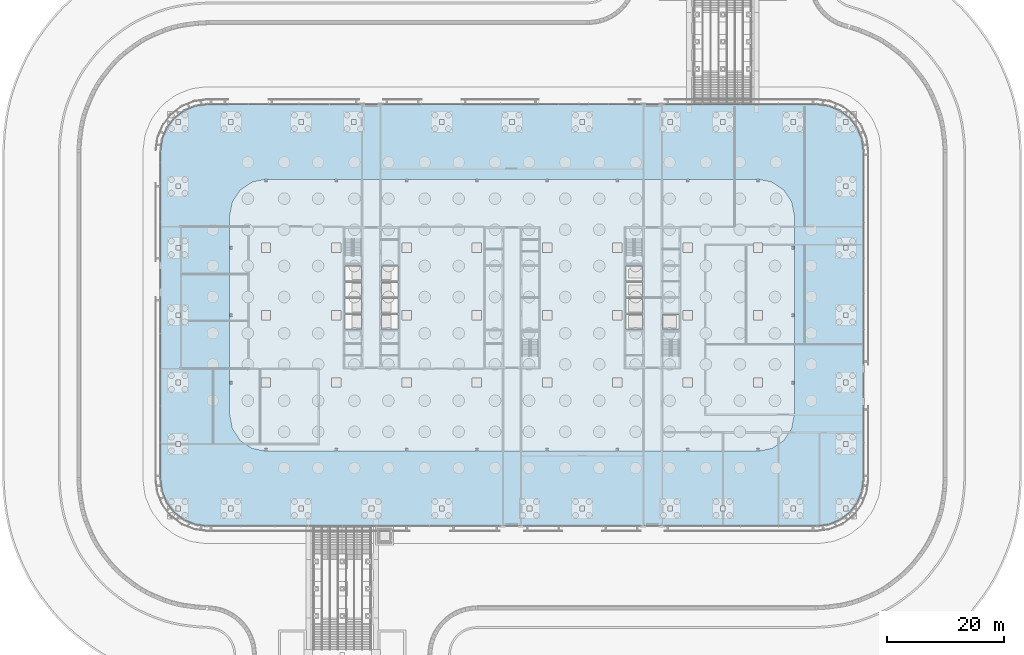
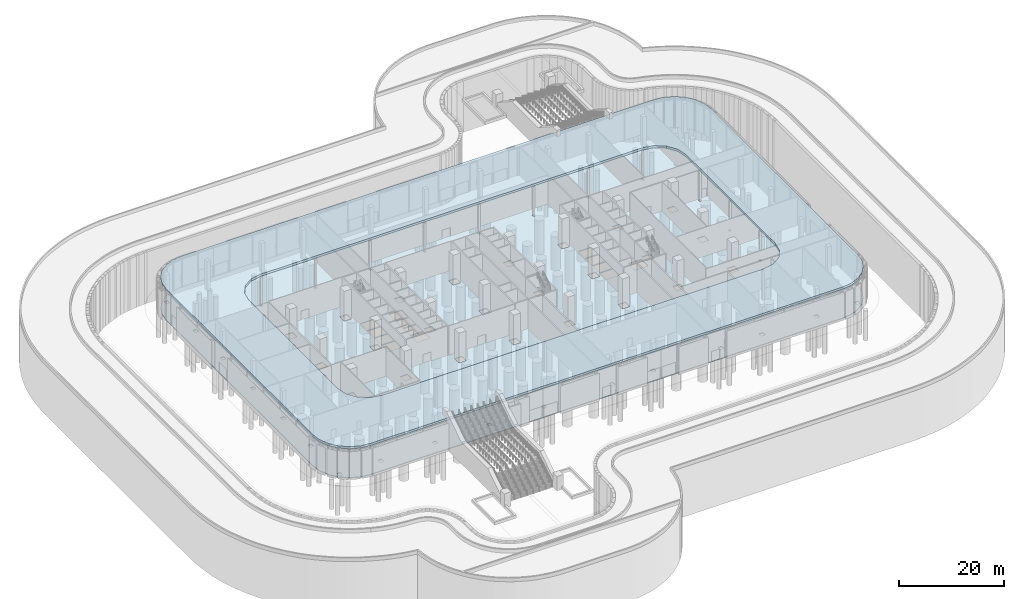
# One storey, part 16 of 48: 2 slabs.
"""IFC4 building model written with IfcOpenShell, lengths in metres."""

from ifc_helpers import new_model, si_unit, direction, frame, origin, place, context, subcontext, project, spatial, polyline, outline, extrude, material, layer, layer_set, type_object, element, save


model = new_model("IFC4")

# Units and contexts
model_context = context("Model", 3, precision=1e-05, world=origin(), true_north=direction((0.0, 1.0)))
body_context = subcontext(model_context, "Body", "Model", "MODEL_VIEW")
ifc_project = project(units=[si_unit("LENGTHUNIT", "METRE"), si_unit("AREAUNIT", "SQUARE_METRE"), si_unit("VOLUMEUNIT", "CUBIC_METRE"), si_unit("PLANEANGLEUNIT", "RADIAN"), si_unit("MASSUNIT", "GRAM", prefix="KILO")], contexts=[model_context])

# Site, building, storey
site_placement = place(None, origin())
site = spatial("IfcSite", under=ifc_project, at=site_placement, CompositionType="ELEMENT")
building_placement = place(site_placement, origin())
building = spatial("IfcBuilding", under=site, at=building_placement, Name="Mahtab Terrace Research Tower", CompositionType="ELEMENT")
storey_placement = place(building_placement, origin())
storey = spatial("IfcBuildingStorey", under=building, at=storey_placement, Name="G", CompositionType="ELEMENT", Elevation=0.0)

# Slabs
ifc_material = material(Name="Concrete C40/50", Category="concrete")
ifc_layer_1 = layer(ifc_material, 0.199951171875)
ifc_layer_set_1 = layer_set([ifc_layer_1], Name="Ground slab 200")
slab_type_1 = type_object("IfcSlabType", Name="Ground slab 200", PredefinedType="BASESLAB", material=ifc_layer_set_1)
slab_1_placement = place(storey_placement, frame((0.0, 0.0, -0.199951171875)))
element("IfcSlab", 1, at=slab_1_placement, inside=storey, type_object=slab_type_1, Name="Ground slab", PredefinedType="BASESLAB", context=body_context, shape_type="SweptSolid", body=[
    extrude(outline(polyline([(59.72705078125, 30.071044921875), (58.927978515625, 32.0), (57.656982421875, 33.656982421875), (56.0, 34.927978515625), (54.071044921875, 35.72705078125), (52.0, 36.0), (-52.0, 36.0), (-54.071044921875, 35.72705078125), (-56.0, 34.927978515625), (-57.656982421875, 33.656982421875), (-58.927978515625, 32.0), (-59.72705078125, 30.071044921875), (-60.0, 28.0), (-60.0, -28.0), (-59.72705078125, -30.071044921875), (-58.927978515625, -32.0), (-57.656982421875, -33.656982421875), (-56.0, -34.927978515625), (-54.071044921875, -35.72705078125), (-52.0, -36.0), (52.0, -36.0), (54.071044921875, -35.72705078125), (56.0, -34.927978515625), (57.656982421875, -33.656982421875), (58.927978515625, -32.0), (59.72705078125, -30.071044921875), (60.0, -28.0), (60.0, 28.0), (59.72705078125, 30.071044921875)]), holes=[polyline([(-42.800048828125, -12.300048828125), (-41.199951171875, -12.300048828125), (-41.199951171875, -10.699951171875), (-42.800048828125, -10.699951171875), (-42.800048828125, -12.300048828125)]), polyline([(-42.800048828125, -0.800048828125), (-41.199951171875, -0.800048828125), (-41.199951171875, 0.800048828125), (-42.800048828125, 0.800048828125), (-42.800048828125, -0.800048828125)]), polyline([(-42.800048828125, 10.699951171875), (-41.199951171875, 10.699951171875), (-41.199951171875, 12.300048828125), (-42.800048828125, 12.300048828125), (-42.800048828125, 10.699951171875)]), polyline([(-30.800048828125, -12.300048828125), (-29.199951171875, -12.300048828125), (-29.199951171875, -10.699951171875), (-30.800048828125, -10.699951171875), (-30.800048828125, -12.300048828125)]), polyline([(-30.800048828125, -0.800048828125), (-29.199951171875, -0.800048828125), (-29.199951171875, 0.800048828125), (-30.800048828125, 0.800048828125), (-30.800048828125, -0.800048828125)]), polyline([(-30.800048828125, 10.699951171875), (-29.199951171875, 10.699951171875), (-29.199951171875, 12.300048828125), (-30.800048828125, 12.300048828125), (-30.800048828125, 10.699951171875)]), polyline([(-18.800048828125, -12.300048828125), (-17.199951171875, -12.300048828125), (-17.199951171875, -10.699951171875), (-18.800048828125, -10.699951171875), (-18.800048828125, -12.300048828125)]), polyline([(-18.800048828125, -0.800048828125), (-17.199951171875, -0.800048828125), (-17.199951171875, 0.800048828125), (-18.800048828125, 0.800048828125), (-18.800048828125, -0.800048828125)]), polyline([(-18.800048828125, 10.699951171875), (-17.199951171875, 10.699951171875), (-17.199951171875, 12.300048828125), (-18.800048828125, 12.300048828125), (-18.800048828125, 10.699951171875)]), polyline([(-6.800048828125, -12.300048828125), (-5.199951171875, -12.300048828125), (-5.199951171875, -10.699951171875), (-6.800048828125, -10.699951171875), (-6.800048828125, -12.300048828125)]), polyline([(-6.800048828125, -0.800048828125), (-5.199951171875, -0.800048828125), (-5.199951171875, 0.800048828125), (-6.800048828125, 0.800048828125), (-6.800048828125, -0.800048828125)]), polyline([(-6.800048828125, 10.699951171875), (-5.199951171875, 10.699951171875), (-5.199951171875, 12.300048828125), (-6.800048828125, 12.300048828125), (-6.800048828125, 10.699951171875)]), polyline([(5.199951171875, -12.300048828125), (6.800048828125, -12.300048828125), (6.800048828125, -10.699951171875), (5.199951171875, -10.699951171875), (5.199951171875, -12.300048828125)]), polyline([(5.199951171875, -0.800048828125), (6.800048828125, -0.800048828125), (6.800048828125, 0.800048828125), (5.199951171875, 0.800048828125), (5.199951171875, -0.800048828125)]), polyline([(5.199951171875, 10.699951171875), (6.800048828125, 10.699951171875), (6.800048828125, 12.300048828125), (5.199951171875, 12.300048828125), (5.199951171875, 10.699951171875)]), polyline([(17.199951171875, -12.300048828125), (18.800048828125, -12.300048828125), (18.800048828125, -10.699951171875), (17.199951171875, -10.699951171875), (17.199951171875, -12.300048828125)]), polyline([(17.199951171875, -0.800048828125), (18.800048828125, -0.800048828125), (18.800048828125, 0.800048828125), (17.199951171875, 0.800048828125), (17.199951171875, -0.800048828125)]), polyline([(17.199951171875, 10.699951171875), (18.800048828125, 10.699951171875), (18.800048828125, 12.300048828125), (17.199951171875, 12.300048828125), (17.199951171875, 10.699951171875)]), polyline([(29.199951171875, -12.300048828125), (30.800048828125, -12.300048828125), (30.800048828125, -10.699951171875), (29.199951171875, -10.699951171875), (29.199951171875, -12.300048828125)]), polyline([(29.199951171875, -0.800048828125), (30.800048828125, -0.800048828125), (30.800048828125, 0.800048828125), (29.199951171875, 0.800048828125), (29.199951171875, -0.800048828125)]), polyline([(29.199951171875, 10.699951171875), (30.800048828125, 10.699951171875), (30.800048828125, 12.300048828125), (29.199951171875, 12.300048828125), (29.199951171875, 10.699951171875)]), polyline([(41.199951171875, -12.300048828125), (42.800048828125, -12.300048828125), (42.800048828125, -10.699951171875), (41.199951171875, -10.699951171875), (41.199951171875, -12.300048828125)]), polyline([(41.199951171875, -0.800048828125), (42.800048828125, -0.800048828125), (42.800048828125, 0.800048828125), (41.199951171875, 0.800048828125), (41.199951171875, -0.800048828125)]), polyline([(41.199951171875, 10.699951171875), (42.800048828125, 10.699951171875), (42.800048828125, 12.300048828125), (41.199951171875, 12.300048828125), (41.199951171875, 10.699951171875)]), polyline([(41.7841796875, 22.7841796875), (42.2158203125, 22.7841796875), (42.2158203125, 23.2158203125), (41.7841796875, 23.2158203125), (41.7841796875, 22.7841796875)]), polyline([(29.7841796875, 22.7841796875), (30.2158203125, 22.7841796875), (30.2158203125, 23.2158203125), (29.7841796875, 23.2158203125), (29.7841796875, 22.7841796875)]), polyline([(17.7841796875, 22.7841796875), (18.2158203125, 22.7841796875), (18.2158203125, 23.2158203125), (17.7841796875, 23.2158203125), (17.7841796875, 22.7841796875)]), polyline([(5.7841796875, 22.7841796875), (6.2158203125, 22.7841796875), (6.2158203125, 23.2158203125), (5.7841796875, 23.2158203125), (5.7841796875, 22.7841796875)]), polyline([(-6.2158203125, 22.7841796875), (-5.7841796875, 22.7841796875), (-5.7841796875, 23.2158203125), (-6.2158203125, 23.2158203125), (-6.2158203125, 22.7841796875)]), polyline([(-18.2158203125, 22.7841796875), (-17.7841796875, 22.7841796875), (-17.7841796875, 23.2158203125), (-18.2158203125, 23.2158203125), (-18.2158203125, 22.7841796875)]), polyline([(-30.2158203125, 22.7841796875), (-29.7841796875, 22.7841796875), (-29.7841796875, 23.2158203125), (-30.2158203125, 23.2158203125), (-30.2158203125, 22.7841796875)]), polyline([(-42.2158203125, 22.7841796875), (-41.7841796875, 22.7841796875), (-41.7841796875, 23.2158203125), (-42.2158203125, 23.2158203125), (-42.2158203125, 22.7841796875)]), polyline([(-48.2158203125, 11.2841796875), (-47.7841796875, 11.2841796875), (-47.7841796875, 11.7158203125), (-48.2158203125, 11.7158203125), (-48.2158203125, 11.2841796875)]), polyline([(-48.2158203125, -0.2158203125), (-47.7841796875, -0.2158203125), (-47.7841796875, 0.2158203125), (-48.2158203125, 0.2158203125), (-48.2158203125, -0.2158203125)]), polyline([(-48.2158203125, -11.7158203125), (-47.7841796875, -11.7158203125), (-47.7841796875, -11.2841796875), (-48.2158203125, -11.2841796875), (-48.2158203125, -11.7158203125)]), polyline([(-42.2158203125, -23.2158203125), (-41.7841796875, -23.2158203125), (-41.7841796875, -22.7841796875), (-42.2158203125, -22.7841796875), (-42.2158203125, -23.2158203125)]), polyline([(-30.2158203125, -23.2158203125), (-29.7841796875, -23.2158203125), (-29.7841796875, -22.7841796875), (-30.2158203125, -22.7841796875), (-30.2158203125, -23.2158203125)]), polyline([(-18.2158203125, -23.2158203125), (-17.7841796875, -23.2158203125), (-17.7841796875, -22.7841796875), (-18.2158203125, -22.7841796875), (-18.2158203125, -23.2158203125)]), polyline([(-6.2158203125, -23.2158203125), (-5.7841796875, -23.2158203125), (-5.7841796875, -22.7841796875), (-6.2158203125, -22.7841796875), (-6.2158203125, -23.2158203125)]), polyline([(5.7841796875, -23.2158203125), (6.2158203125, -23.2158203125), (6.2158203125, -22.7841796875), (5.7841796875, -22.7841796875), (5.7841796875, -23.2158203125)]), polyline([(17.7841796875, -23.2158203125), (18.2158203125, -23.2158203125), (18.2158203125, -22.7841796875), (17.7841796875, -22.7841796875), (17.7841796875, -23.2158203125)]), polyline([(29.7841796875, -23.2158203125), (30.2158203125, -23.2158203125), (30.2158203125, -22.7841796875), (29.7841796875, -22.7841796875), (29.7841796875, -23.2158203125)]), polyline([(41.7841796875, -23.2158203125), (42.2158203125, -23.2158203125), (42.2158203125, -22.7841796875), (41.7841796875, -22.7841796875), (41.7841796875, -23.2158203125)]), polyline([(47.7841796875, -11.7158203125), (48.2158203125, -11.7158203125), (48.2158203125, -11.2841796875), (47.7841796875, -11.2841796875), (47.7841796875, -11.7158203125)]), polyline([(47.7841796875, -0.2158203125), (48.2158203125, -0.2158203125), (48.2158203125, 0.2158203125), (47.7841796875, 0.2158203125), (47.7841796875, -0.2158203125)]), polyline([(47.7841796875, 11.2841796875), (48.2158203125, 11.2841796875), (48.2158203125, 11.7158203125), (47.7841796875, 11.7158203125), (47.7841796875, 11.2841796875)]), polyline([(-57.39990234375, -33.39990234375), (-56.60009765625, -33.39990234375), (-56.60009765625, -32.60009765625), (-57.39990234375, -32.60009765625), (-57.39990234375, -33.39990234375)]), polyline([(-48.39990234375, -33.39990234375), (-47.60009765625, -33.39990234375), (-47.60009765625, -32.60009765625), (-48.39990234375, -32.60009765625), (-48.39990234375, -33.39990234375)]), polyline([(-36.39990234375, -33.39990234375), (-35.60009765625, -33.39990234375), (-35.60009765625, -32.60009765625), (-36.39990234375, -32.60009765625), (-36.39990234375, -33.39990234375)]), polyline([(-24.39990234375, -33.39990234375), (-23.60009765625, -33.39990234375), (-23.60009765625, -32.60009765625), (-24.39990234375, -32.60009765625), (-24.39990234375, -33.39990234375)]), polyline([(-12.39990234375, -33.39990234375), (-11.60009765625, -33.39990234375), (-11.60009765625, -32.60009765625), (-12.39990234375, -32.60009765625), (-12.39990234375, -33.39990234375)]), polyline([(2.60009765625, -33.39990234375), (3.39990234375, -33.39990234375), (3.39990234375, -32.60009765625), (2.60009765625, -32.60009765625), (2.60009765625, -33.39990234375)]), polyline([(11.60009765625, -33.39990234375), (12.39990234375, -33.39990234375), (12.39990234375, -32.60009765625), (11.60009765625, -32.60009765625), (11.60009765625, -33.39990234375)]), polyline([(26.60009765625, -33.39990234375), (27.39990234375, -33.39990234375), (27.39990234375, -32.60009765625), (26.60009765625, -32.60009765625), (26.60009765625, -33.39990234375)]), polyline([(35.60009765625, -33.39990234375), (36.39990234375, -33.39990234375), (36.39990234375, -32.60009765625), (35.60009765625, -32.60009765625), (35.60009765625, -33.39990234375)]), polyline([(47.60009765625, -33.39990234375), (48.39990234375, -33.39990234375), (48.39990234375, -32.60009765625), (47.60009765625, -32.60009765625), (47.60009765625, -33.39990234375)]), polyline([(56.60009765625, -33.39990234375), (57.39990234375, -33.39990234375), (57.39990234375, -32.60009765625), (56.60009765625, -32.60009765625), (56.60009765625, -33.39990234375)]), polyline([(-57.39990234375, 32.60009765625), (-56.60009765625, 32.60009765625), (-56.60009765625, 33.39990234375), (-57.39990234375, 33.39990234375), (-57.39990234375, 32.60009765625)]), polyline([(-48.39990234375, 32.60009765625), (-47.60009765625, 32.60009765625), (-47.60009765625, 33.39990234375), (-48.39990234375, 33.39990234375), (-48.39990234375, 32.60009765625)]), polyline([(-36.39990234375, 32.60009765625), (-35.60009765625, 32.60009765625), (-35.60009765625, 33.39990234375), (-36.39990234375, 33.39990234375), (-36.39990234375, 32.60009765625)]), polyline([(-27.39990234375, 32.60009765625), (-26.60009765625, 32.60009765625), (-26.60009765625, 33.39990234375), (-27.39990234375, 33.39990234375), (-27.39990234375, 32.60009765625)]), polyline([(-12.39990234375, 32.60009765625), (-11.60009765625, 32.60009765625), (-11.60009765625, 33.39990234375), (-12.39990234375, 33.39990234375), (-12.39990234375, 32.60009765625)]), polyline([(-0.39990234375, 32.60009765625), (0.39990234375, 32.60009765625), (0.39990234375, 33.39990234375), (-0.39990234375, 33.39990234375), (-0.39990234375, 32.60009765625)]), polyline([(11.60009765625, 32.60009765625), (12.39990234375, 32.60009765625), (12.39990234375, 33.39990234375), (11.60009765625, 33.39990234375), (11.60009765625, 32.60009765625)]), polyline([(26.60009765625, 32.60009765625), (27.39990234375, 32.60009765625), (27.39990234375, 33.39990234375), (26.60009765625, 33.39990234375), (26.60009765625, 32.60009765625)]), polyline([(35.60009765625, 32.60009765625), (36.39990234375, 32.60009765625), (36.39990234375, 33.39990234375), (35.60009765625, 33.39990234375), (35.60009765625, 32.60009765625)]), polyline([(47.60009765625, 32.60009765625), (48.39990234375, 32.60009765625), (48.39990234375, 33.39990234375), (47.60009765625, 33.39990234375), (47.60009765625, 32.60009765625)]), polyline([(56.60009765625, 32.60009765625), (57.39990234375, 32.60009765625), (57.39990234375, 33.39990234375), (56.60009765625, 33.39990234375), (56.60009765625, 32.60009765625)]), polyline([(-57.39990234375, -22.39990234375), (-56.60009765625, -22.39990234375), (-56.60009765625, -21.60009765625), (-57.39990234375, -21.60009765625), (-57.39990234375, -22.39990234375)]), polyline([(-57.39990234375, -11.89990234375), (-56.60009765625, -11.89990234375), (-56.60009765625, -11.10009765625), (-57.39990234375, -11.10009765625), (-57.39990234375, -11.89990234375)]), polyline([(-57.39990234375, -0.39990234375), (-56.60009765625, -0.39990234375), (-56.60009765625, 0.39990234375), (-57.39990234375, 0.39990234375), (-57.39990234375, -0.39990234375)]), polyline([(-57.39990234375, 11.10009765625), (-56.60009765625, 11.10009765625), (-56.60009765625, 11.89990234375), (-57.39990234375, 11.89990234375), (-57.39990234375, 11.10009765625)]), polyline([(-57.39990234375, 21.60009765625), (-56.60009765625, 21.60009765625), (-56.60009765625, 22.39990234375), (-57.39990234375, 22.39990234375), (-57.39990234375, 21.60009765625)]), polyline([(56.60009765625, -22.39990234375), (57.39990234375, -22.39990234375), (57.39990234375, -21.60009765625), (56.60009765625, -21.60009765625), (56.60009765625, -22.39990234375)]), polyline([(56.60009765625, -11.89990234375), (57.39990234375, -11.89990234375), (57.39990234375, -11.10009765625), (56.60009765625, -11.10009765625), (56.60009765625, -11.89990234375)]), polyline([(56.60009765625, -0.39990234375), (57.39990234375, -0.39990234375), (57.39990234375, 0.39990234375), (56.60009765625, 0.39990234375), (56.60009765625, -0.39990234375)]), polyline([(56.60009765625, 11.10009765625), (57.39990234375, 11.10009765625), (57.39990234375, 11.89990234375), (56.60009765625, 11.89990234375), (56.60009765625, 11.10009765625)]), polyline([(56.60009765625, 21.60009765625), (57.39990234375, 21.60009765625), (57.39990234375, 22.39990234375), (56.60009765625, 22.39990234375), (56.60009765625, 21.60009765625)]), polyline([(-28.550048828125, -2.375), (-25.699951171875, -2.375), (-25.699951171875, 0.125), (-28.550048828125, 0.125), (-28.550048828125, -2.375)]), polyline([(-28.550048828125, 0.375), (-25.699951171875, 0.375), (-25.699951171875, 2.875), (-28.550048828125, 2.875), (-28.550048828125, 0.375)]), polyline([(-28.550048828125, 3.125), (-25.699951171875, 3.125), (-25.699951171875, 5.625), (-28.550048828125, 5.625), (-28.550048828125, 3.125)]), polyline([(-28.550048828125, 5.875), (-25.699951171875, 5.875), (-25.699951171875, 8.375), (-28.550048828125, 8.375), (-28.550048828125, 5.875)]), polyline([(-22.300048828125, -2.375), (-19.449951171875, -2.375), (-19.449951171875, 0.125), (-22.300048828125, 0.125), (-22.300048828125, -2.375)]), polyline([(-22.300048828125, 0.375), (-19.449951171875, 0.375), (-19.449951171875, 2.875), (-22.300048828125, 2.875), (-22.300048828125, 0.375)]), polyline([(-22.300048828125, 3.125), (-19.449951171875, 3.125), (-19.449951171875, 5.625), (-22.300048828125, 5.625), (-22.300048828125, 3.125)]), polyline([(-22.300048828125, 5.875), (-19.449951171875, 5.875), (-19.449951171875, 8.375), (-22.300048828125, 8.375), (-22.300048828125, 5.875)]), polyline([(19.449951171875, -2.375), (22.300048828125, -2.375), (22.300048828125, 0.125), (19.449951171875, 0.125), (19.449951171875, -2.375)]), polyline([(19.449951171875, 0.375), (22.300048828125, 0.375), (22.300048828125, 2.875), (19.449951171875, 2.875), (19.449951171875, 0.375)]), polyline([(19.449951171875, 3.125), (22.300048828125, 3.125), (22.300048828125, 5.625), (19.449951171875, 5.625), (19.449951171875, 3.125)]), polyline([(19.449951171875, 5.875), (22.300048828125, 5.875), (22.300048828125, 8.375), (19.449951171875, 8.375), (19.449951171875, 5.875)]), polyline([(25.699951171875, -2.375), (28.550048828125, -2.375), (28.550048828125, 0.125), (25.699951171875, 0.125), (25.699951171875, -2.375)])]), origin(), (0.0, 0.0, 1.0), 0.199951171875),
])
ifc_layer_2 = layer(ifc_material, 0.5)
ifc_layer_set_2 = layer_set([ifc_layer_2], Name="PT garden deck slab 500")
slab_type_2 = type_object("IfcSlabType", Name="PT garden deck slab 500", PredefinedType="FLOOR", material=ifc_layer_set_2)
slab_2_placement = place(storey_placement, frame((0.0, 0.0, 6.699951171875)))
element("IfcSlab", 2, at=slab_2_placement, inside=storey, type_object=slab_type_2, Name="Garden deck slab", PredefinedType="FLOOR", context=body_context, shape_type="SweptSolid", body=[
    extrude(outline(polyline([(60.0, 28.0), (59.72705078125, 30.071044921875), (58.927978515625, 32.0), (57.656982421875, 33.656982421875), (56.0, 34.927978515625), (54.071044921875, 35.72705078125), (52.0, 36.0), (-52.0, 36.0), (-54.071044921875, 35.72705078125), (-56.0, 34.927978515625), (-57.656982421875, 33.656982421875), (-58.927978515625, 32.0), (-59.72705078125, 30.071044921875), (-60.0, 28.0), (-60.0, -28.0), (-59.72705078125, -30.071044921875), (-58.927978515625, -32.0), (-57.656982421875, -33.656982421875), (-56.0, -34.927978515625), (-54.071044921875, -35.72705078125), (-52.0, -36.0), (52.0, -36.0), (54.071044921875, -35.72705078125), (56.0, -34.927978515625), (57.656982421875, -33.656982421875), (58.927978515625, -32.0), (59.72705078125, -30.071044921875), (60.0, -28.0), (60.0, 28.0)]), holes=[polyline([(47.739013671875, 19.3349609375), (47.7099609375, 19.406982421875), (46.408935546875, 21.35400390625), (46.35400390625, 21.408935546875), (44.406982421875, 22.7099609375), (44.373046875, 22.72802734375), (44.3349609375, 22.739013671875), (42.0390625, 23.196044921875), (42.0, 23.199951171875), (-42.0, 23.199951171875), (-42.0390625, 23.196044921875), (-44.3349609375, 22.739013671875), (-44.373046875, 22.72802734375), (-44.406982421875, 22.7099609375), (-46.35400390625, 21.408935546875), (-46.408935546875, 21.35400390625), (-47.7099609375, 19.406982421875), (-47.739013671875, 19.3349609375), (-48.196044921875, 17.0390625), (-48.199951171875, 17.0), (-48.199951171875, -17.0), (-48.196044921875, -17.0390625), (-47.739013671875, -19.3349609375), (-47.7099609375, -19.406982421875), (-46.408935546875, -21.35400390625), (-46.35400390625, -21.408935546875), (-44.406982421875, -22.7099609375), (-44.373046875, -22.72802734375), (-44.3349609375, -22.739013671875), (-42.0390625, -23.196044921875), (-42.0, -23.199951171875), (42.0, -23.199951171875), (42.0390625, -23.196044921875), (44.3349609375, -22.739013671875), (44.373046875, -22.72802734375), (44.406982421875, -22.7099609375), (46.35400390625, -21.408935546875), (46.408935546875, -21.35400390625), (47.7099609375, -19.406982421875), (47.739013671875, -19.3349609375), (48.196044921875, -17.0390625), (48.199951171875, -17.0), (48.199951171875, 17.0), (48.196044921875, 17.0390625), (47.739013671875, 19.3349609375)])]), origin(), (0.0, 0.0, 1.0), 0.5),
])

save(model, "model.ifc")
